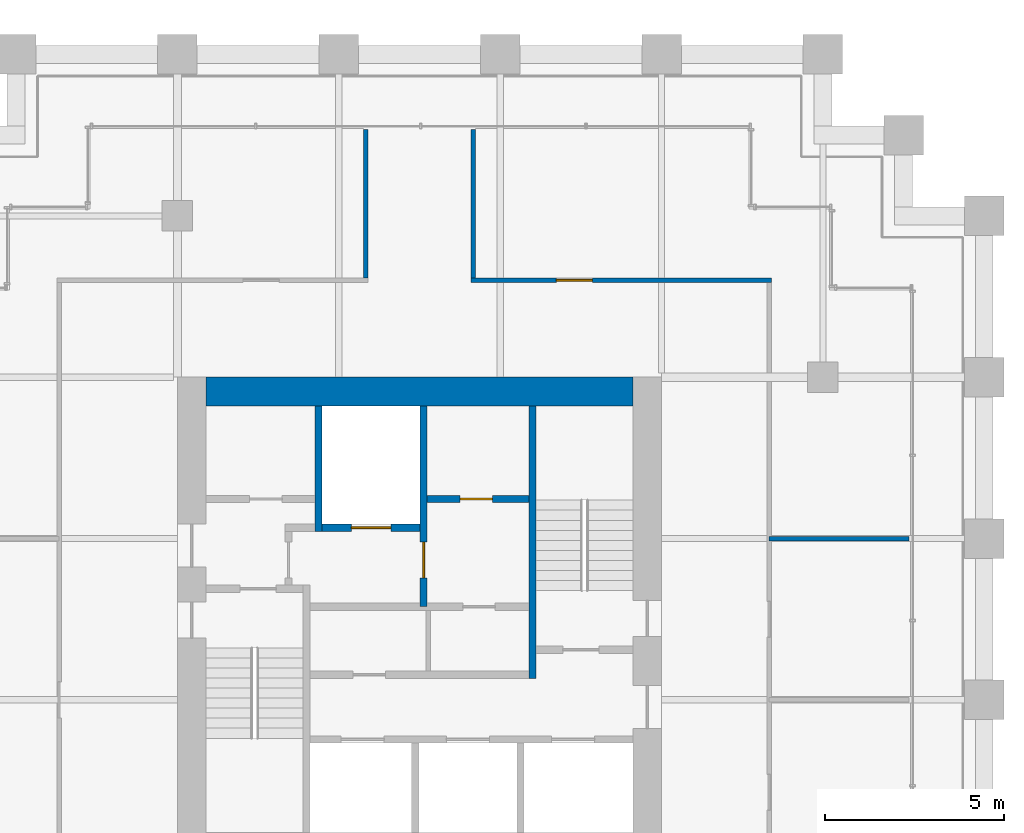
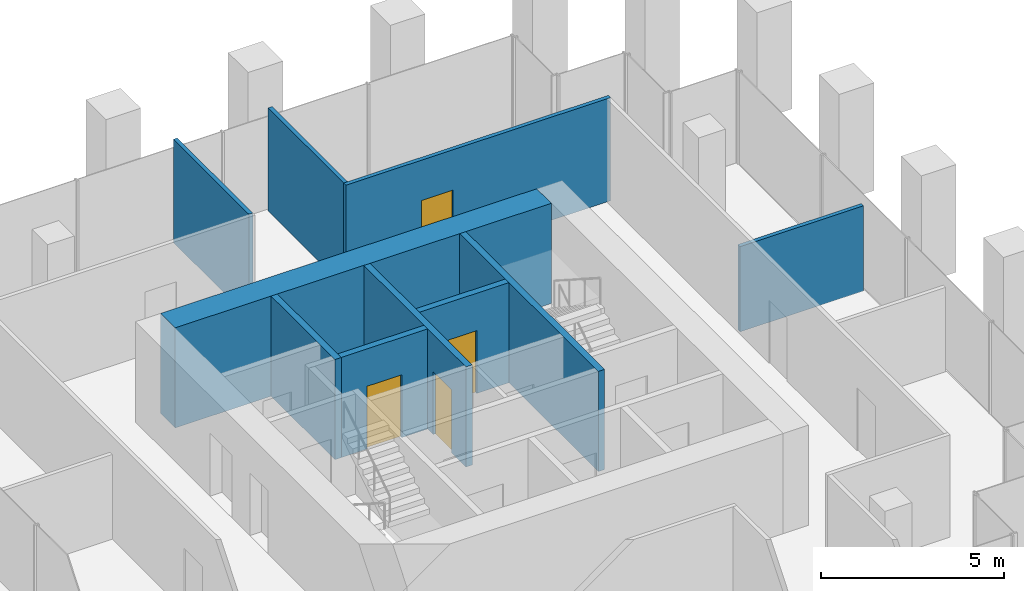
# One storey, part 53 of 56: 10 walls, 4 doors, 4 openings.
"""IFC4 building model written with IfcOpenShell, lengths in metres."""

from ifc_helpers import new_model, si_unit, direction, frame, frame_2d, origin, place, context, subcontext, project, spatial, rectangle, extrude, material, layer, layer_set, type_object, element, fill, save


model = new_model("IFC4")

# Units and contexts
model_context = context("Model", 3, precision=1e-05, world=origin(), true_north=direction((0.0, 1.0)))
body_context = subcontext(model_context, "Body", "Model", "MODEL_VIEW")
ifc_project = project(units=[si_unit("LENGTHUNIT", "METRE"), si_unit("AREAUNIT", "SQUARE_METRE"), si_unit("VOLUMEUNIT", "CUBIC_METRE"), si_unit("PLANEANGLEUNIT", "RADIAN"), si_unit("MASSUNIT", "GRAM", prefix="KILO")], contexts=[model_context])

# Site, building, storey
site_placement = place(None, origin())
site = spatial("IfcSite", under=ifc_project, at=site_placement, CompositionType="ELEMENT")
building_placement = place(site_placement, origin())
building = spatial("IfcBuilding", under=site, at=building_placement, Name="Altepetl Exchange Towers", CompositionType="ELEMENT")
storey_placement = place(building_placement, frame((0.0, 0.0, 79.800048828125)))
storey = spatial("IfcBuildingStorey", under=building, at=storey_placement, Name="L19", CompositionType="ELEMENT", Elevation=79.800048828125)

# Walls
ifc_material_1 = material(Name="Concrete C70/85", Category="concrete")
ifc_layer_1 = layer(ifc_material_1, 0.800048828125)
ifc_layer_set_1 = layer_set([ifc_layer_1], Name="Concrete C70/85")
wall_type_1 = type_object("IfcWallType", Name="Core wall 800 reinforced concrete", PredefinedType="SHEAR", material=ifc_layer_set_1)
wall_1_placement = place(storey_placement, frame((104.300048828125, 49.10009765625, 0.0)))
element("IfcWall", 1, at=wall_1_placement, inside=storey, type_object=wall_type_1, Name="wall:B:L19:K-coreN", PredefinedType="SHEAR", context=body_context, shape_type="SweptSolid", body=[
    extrude(rectangle(XDim=11.89990234375, YDim=0.800048828125, at=frame_2d((5.949951171875, 0.0))), origin(), (0.0, 0.0, 1.0), 3.349853515625),
])
ifc_material_2 = material(Name="Gypsum board on steel studs", Category="steel")
ifc_layer_2 = layer(ifc_material_2, 0.125)
ifc_layer_set_2 = layer_set([ifc_layer_2], Name="Gypsum board on steel studs")
wall_type_2 = type_object("IfcWallType", Name="Partition 125 gypsum board on steel studs", PredefinedType="PARTITIONING", material=ifc_layer_set_2)
wall_2_placement = place(storey_placement, frame((120.0, 45.0, 0.0)))
element("IfcWall", 2, at=wall_2_placement, inside=storey, type_object=wall_type_2, Name="wall:B:L19:P07", PredefinedType="PARTITIONING", context=body_context, shape_type="SweptSolid", body=[
    extrude(rectangle(XDim=3.89990234375, YDim=0.125, at=frame_2d((1.949951171875, 0.0))), origin(), (0.0, 0.0, 1.0), 2.850830078125),
])

# Wall, opening, door
wall_3_placement = place(storey_placement, frame((111.6875, 52.199951171875, 0.0)))
wall_3 = element("IfcWall", 3, at=wall_3_placement, inside=storey, type_object=wall_type_2, Name="wall:B:L19:P09", PredefinedType="PARTITIONING", context=body_context, shape_type="SweptSolid", body=[
    extrude(rectangle(XDim=8.375, YDim=0.125, at=frame_2d((4.1875, 0.0))), origin(), (0.0, 0.0, 1.0), 3.449951171875),
])
opening_1_placement = place(wall_3_placement, frame((2.381591796875, 0.0, 0.0)))
opening_1 = element("IfcOpeningElement", 4, at=opening_1_placement, cuts=wall_3, Name="Opening L19.B05", PredefinedType="OPENING", context=body_context, shape_type="SweptSolid", body=[
    extrude(rectangle(XDim=1.0, YDim=2.10009765625, at=frame_2d((0.5, 1.050048828125))), frame((0.0, 0.072509765625, 0.0), z_axis=(0.0, -1.0, 0.0), x_axis=(1.0, 0.0, 0.0)), (0.0, 0.0, 1.0), 0.14501953125),
])
ifc_material_3 = material(Name="Steel and timber fire door", Category="steel")
door_type_1 = type_object("IfcDoorType", Name="Fire door 1000 x 2100 single leaf", OperationType="SINGLE_SWING_LEFT", PredefinedType="DOOR", material=ifc_material_3)
door_1_placement = place(opening_1_placement, frame((1.0, 0.0, 0.0), x_axis=(-1.0, 0.0, 0.0)))
door_1 = element("IfcDoor", 5, at=door_1_placement, inside=storey, type_object=door_type_1, Name="door:B:L19:05", OperationType="SINGLE_SWING_RIGHT", OverallHeight=2.10009765625, OverallWidth=1.0, PredefinedType="DOOR", context=body_context, shape_type="SweptSolid", body=[
    extrude(rectangle(XDim=1.0, YDim=2.10009765625, at=frame_2d((0.5, 1.050048828125))), frame((0.0, 0.02490234375, 0.0), z_axis=(0.0, -1.0, 0.0), x_axis=(1.0, 0.0, 0.0)), (0.0, 0.0, 1.0), 0.050048828125),
])
fill(opening_1, door_1)

# Walls
for number, where, z_axis, x_axis, name in (
    (6, (108.75, 52.262451171875, 0.0), (0.0, 0.0, 1.0), (0.0, 1.0, 0.0), "wall:B:L19:P11"),
    (7, (111.75, 52.262451171875, 0.0), (0.0, 0.0, 1.0), (0.0, 1.0, 0.0), "wall:B:L19:P12"),
):
    element("IfcWall", number, at=place(storey_placement, frame(where, z_axis=z_axis, x_axis=x_axis)), inside=storey, type_object=wall_type_2, Name=name, PredefinedType="PARTITIONING", context=body_context, shape_type="SweptSolid", body=[
        extrude(rectangle(XDim=4.137451171875, YDim=0.125, at=frame_2d((2.06884765625, 0.0))), origin(), (0.0, 0.0, 1.0), 3.449951171875),
    ])
ifc_material_4 = material(Name="Concrete C40/50", Category="concrete")
ifc_layer_3 = layer(ifc_material_4, 0.199951171875)
ifc_layer_set_3 = layer_set([ifc_layer_3], Name="Concrete C40/50")
wall_type_3 = type_object("IfcWallType", Name="Shaft wall 200 reinforced concrete", PredefinedType="SHEAR", material=ifc_layer_set_3)
wall_4_placement = place(storey_placement, frame((107.433349609375, 48.699951171875, 0.0), z_axis=(0.0, 0.0, 1.0), x_axis=(0.0, -1.0, 0.0)))
element("IfcWall", 8, at=wall_4_placement, inside=storey, type_object=wall_type_3, Name="wall:B:L19:K-divN1", PredefinedType="SHEAR", context=body_context, shape_type="SweptSolid", body=[
    extrude(rectangle(XDim=3.5, YDim=0.199951171875, at=frame_2d((1.75, 0.0))), origin(), (0.0, 0.0, 1.0), 3.349853515625),
])

# Wall, opening, door
wall_5_placement = place(storey_placement, frame((110.36669921875, 48.699951171875, 0.0), z_axis=(0.0, 0.0, 1.0), x_axis=(0.0, -1.0, 0.0)))
wall_5 = element("IfcWall", 9, at=wall_5_placement, inside=storey, type_object=wall_type_3, Name="wall:B:L19:K-divN2", PredefinedType="SHEAR", context=body_context, shape_type="SweptSolid", body=[
    extrude(rectangle(XDim=5.599853515625, YDim=0.199951171875, at=frame_2d((2.7998046875, 0.0))), origin(), (0.0, 0.0, 1.0), 3.349853515625),
])
opening_2_placement = place(wall_5_placement, frame((3.800048828125, 0.0, 0.0)))
opening_2 = element("IfcOpeningElement", 10, at=opening_2_placement, cuts=wall_5, Name="Opening L19.B66", PredefinedType="OPENING", context=body_context, shape_type="SweptSolid", body=[
    extrude(rectangle(XDim=1.0, YDim=2.10009765625, at=frame_2d((0.5, 1.050048828125))), frame((0.0, 0.10986328125, 0.0), z_axis=(0.0, -1.0, 0.0), x_axis=(1.0, 0.0, 0.0)), (0.0, 0.0, 1.0), 0.219970703125),
])
door_type_2 = type_object("IfcDoorType", Name="Fire door 1000 x 2100 stair and lobby", OperationType="SINGLE_SWING_LEFT", PredefinedType="DOOR", material=ifc_material_3)
door_2_placement = place(opening_2_placement, frame((1.0, 0.0, 0.0), x_axis=(-1.0, 0.0, 0.0)))
door_2 = element("IfcDoor", 11, at=door_2_placement, inside=storey, type_object=door_type_2, Name="door:B:L19:K-dffE", OperationType="SINGLE_SWING_RIGHT", OverallHeight=2.10009765625, OverallWidth=1.0, PredefinedType="DOOR", context=body_context, shape_type="SweptSolid", body=[
    extrude(rectangle(XDim=1.0, YDim=2.10009765625, at=frame_2d((0.5, 1.050048828125))), frame((0.0, 0.02490234375, 0.0), z_axis=(0.0, -1.0, 0.0), x_axis=(1.0, 0.0, 0.0)), (0.0, 0.0, 1.0), 0.050048828125),
])
fill(opening_2, door_2)

wall_6_placement = place(storey_placement, frame((110.466796875, 46.10009765625, 0.0)))
wall_6 = element("IfcWall", 12, at=wall_6_placement, inside=storey, type_object=wall_type_3, Name="wall:B:L19:K-frontNb", PredefinedType="SHEAR", context=body_context, shape_type="SweptSolid", body=[
    extrude(rectangle(XDim=2.833251953125, YDim=0.199951171875, at=frame_2d((1.41650390625, 0.0))), origin(), (0.0, 0.0, 1.0), 3.349853515625),
])
opening_3_placement = place(wall_6_placement, frame((0.91650390625, 0.0, 0.0)))
opening_3 = element("IfcOpeningElement", 13, at=opening_3_placement, cuts=wall_6, Name="Opening L19.B69", PredefinedType="OPENING", context=body_context, shape_type="SweptSolid", body=[
    extrude(rectangle(XDim=0.89990234375, YDim=2.10009765625, at=frame_2d((0.449951171875, 1.050048828125))), frame((0.0, 0.10986328125, 0.0), z_axis=(0.0, -1.0, 0.0), x_axis=(1.0, 0.0, 0.0)), (0.0, 0.0, 1.0), 0.219970703125),
])
door_type_3 = type_object("IfcDoorType", Name="Fire door 900 x 2100 service room", OperationType="SINGLE_SWING_LEFT", PredefinedType="DOOR", material=ifc_material_3)
door_3_placement = place(opening_3_placement, origin())
door_3 = element("IfcDoor", 14, at=door_3_placement, inside=storey, type_object=door_type_3, Name="door:B:L19:K-dslotN2", OperationType="SINGLE_SWING_RIGHT", OverallHeight=2.10009765625, OverallWidth=0.89990234375, PredefinedType="DOOR", context=body_context, shape_type="SweptSolid", body=[
    extrude(rectangle(XDim=0.89990234375, YDim=2.10009765625, at=frame_2d((0.449951171875, 1.050048828125))), frame((0.0, 0.02490234375, 0.0), z_axis=(0.0, -1.0, 0.0), x_axis=(1.0, 0.0, 0.0)), (0.0, 0.0, 1.0), 0.050048828125),
])
fill(opening_3, door_3)

wall_7_placement = place(storey_placement, frame((107.533203125, 45.300048828125, 0.0)))
wall_7 = element("IfcWall", 15, at=wall_7_placement, inside=storey, type_object=wall_type_3, Name="wall:B:L19:K-frontNd", PredefinedType="SHEAR", context=body_context, shape_type="SweptSolid", body=[
    extrude(rectangle(XDim=2.7333984375, YDim=0.199951171875, at=frame_2d((1.36669921875, 0.0))), origin(), (0.0, 0.0, 1.0), 3.349853515625),
])
opening_4_placement = place(wall_7_placement, frame((0.816650390625, 0.0, 0.0)))
opening_4 = element("IfcOpeningElement", 16, at=opening_4_placement, cuts=wall_7, Name="Opening L19.B72", PredefinedType="OPENING", context=body_context, shape_type="SweptSolid", body=[
    extrude(rectangle(XDim=1.10009765625, YDim=2.10009765625, at=frame_2d((0.550048828125, 1.050048828125))), frame((0.0, 0.10986328125, 0.0), z_axis=(0.0, -1.0, 0.0), x_axis=(1.0, 0.0, 0.0)), (0.0, 0.0, 1.0), 0.219970703125),
])
ifc_material_5 = material(Name="Stainless steel", Category="steel")
door_type_4 = type_object("IfcDoorType", Name="Lift landing door 1100 x 2100", OperationType="SLIDING_TO_LEFT", PredefinedType="DOOR", material=ifc_material_5)
door_4_placement = place(opening_4_placement, origin())
door_4 = element("IfcDoor", 17, at=door_4_placement, inside=storey, type_object=door_type_4, Name="Landing door FFL1", OperationType="SLIDING_TO_LEFT", OverallHeight=2.10009765625, OverallWidth=1.10009765625, PredefinedType="DOOR", context=body_context, shape_type="SweptSolid", body=[
    extrude(rectangle(XDim=1.10009765625, YDim=2.10009765625, at=frame_2d((0.550048828125, 1.050048828125))), frame((0.0, 0.02490234375, 0.0), z_axis=(0.0, -1.0, 0.0), x_axis=(1.0, 0.0, 0.0)), (0.0, 0.0, 1.0), 0.050048828125),
])
fill(opening_4, door_4)

# Wall
ifc_layer_4 = layer(ifc_material_4, 0.199951171875)
ifc_layer_set_4 = layer_set([ifc_layer_4], Name="Concrete C40/50")
wall_type_4 = type_object("IfcWallType", Name="Stair wall 200 reinforced concrete", PredefinedType="SHEAR", material=ifc_layer_set_4)
wall_8_placement = place(storey_placement, frame((113.39990234375, 41.10009765625, 0.0), z_axis=(0.0, 0.0, 1.0), x_axis=(0.0, 1.0, 0.0)))
element("IfcWall", 18, at=wall_8_placement, inside=storey, type_object=wall_type_4, Name="wall:B:L19:K-stS2W", PredefinedType="SHEAR", context=body_context, shape_type="SweptSolid", body=[
    extrude(rectangle(XDim=7.599853515625, YDim=0.199951171875, at=frame_2d((3.7998046875, 0.0))), origin(), (0.0, 0.0, 1.0), 3.349853515625),
])

save(model, "model.ifc")
